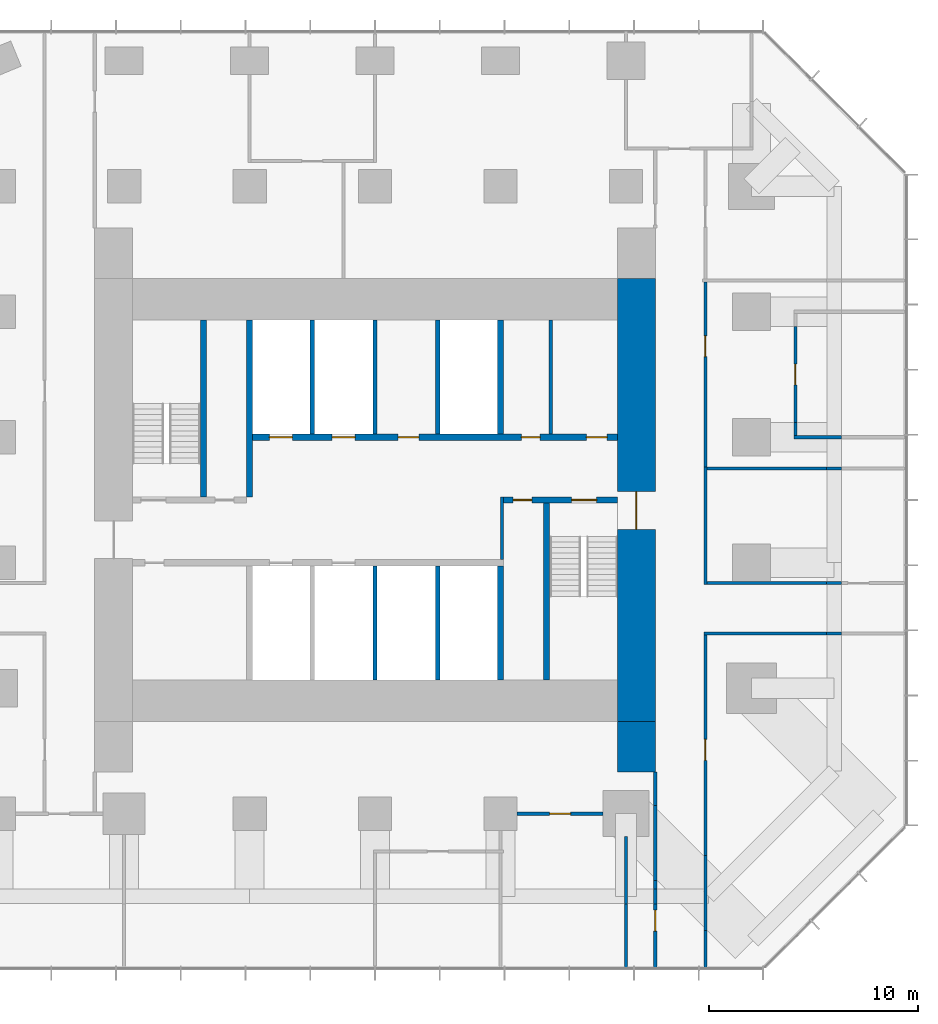
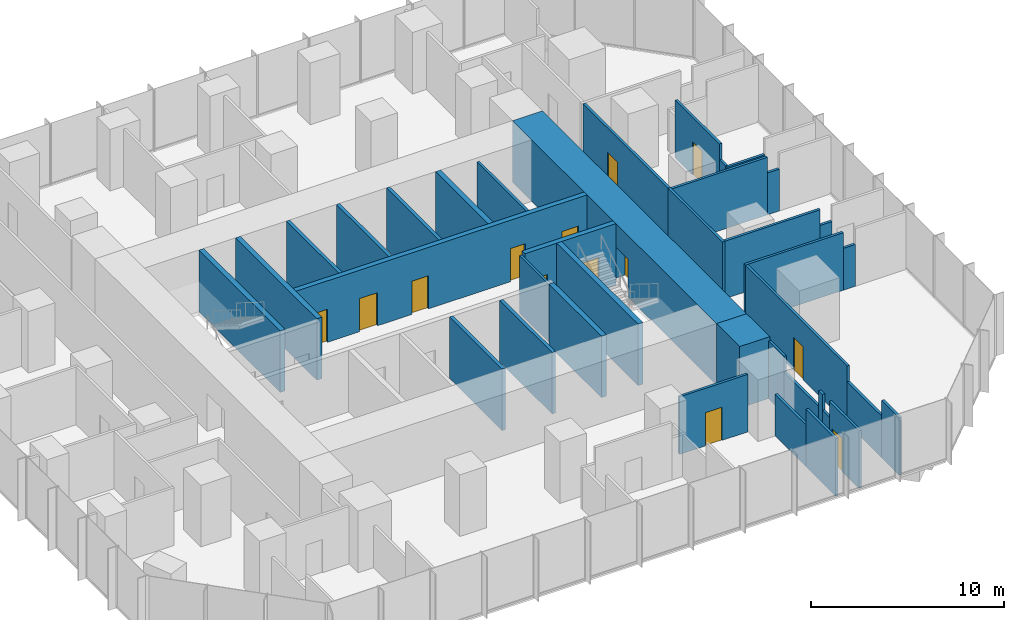
# One storey, part 9 of 11: 38 walls, 13 doors, 13 openings.
"""IFC4 building model written with IfcOpenShell, lengths in metres."""

from ifc_helpers import new_model, si_unit, direction, frame, frame_2d, origin, place, context, subcontext, project, spatial, rectangle, extrude, material, layer, layer_set, type_object, element, fill, save


model = new_model("IFC4")

# Units and contexts
model_context = context("Model", 3, precision=1e-05, world=origin(), true_north=direction((0.0, 1.0)))
body_context = subcontext(model_context, "Body", "Model", "MODEL_VIEW")
ifc_project = project(units=[si_unit("LENGTHUNIT", "METRE"), si_unit("AREAUNIT", "SQUARE_METRE"), si_unit("VOLUMEUNIT", "CUBIC_METRE"), si_unit("PLANEANGLEUNIT", "RADIAN"), si_unit("MASSUNIT", "GRAM", prefix="KILO")], contexts=[model_context])

# Site, building, storey
site_placement = place(None, origin())
site = spatial("IfcSite", under=ifc_project, at=site_placement, CompositionType="ELEMENT")
building_placement = place(site_placement, origin())
building = spatial("IfcBuilding", under=site, at=building_placement, Name="Highveld Stack Headquarters", CompositionType="ELEMENT")
storey_placement = place(building_placement, frame((0.0, 0.0, 144.5)))
storey = spatial("IfcBuildingStorey", under=building, at=storey_placement, Name="L35", CompositionType="ELEMENT", Elevation=144.5)

# Wall, opening, door
ifc_material_1 = material(Name="Concrete C60/75", Category="concrete")
ifc_layer_1 = layer(ifc_material_1, 1.800048828125)
ifc_layer_set_1 = layer_set([ifc_layer_1], Name="Concrete C60/75")
wall_type_1 = type_object("IfcWallType", Name="CORE WALL 1800 C60/75", PredefinedType="SHEAR", material=ifc_layer_set_1)
wall_1_placement = place(storey_placement, frame((18.5, -7.60009765625, 0.0), z_axis=(0.0, 0.0, 1.0), x_axis=(0.0, 1.0, 0.0)))
wall_1 = element("IfcWall", 1, at=wall_1_placement, inside=storey, type_object=wall_type_1, Name="Core wall E L35", PredefinedType="SHEAR", context=body_context, shape_type="SweptSolid", body=[
    extrude(rectangle(XDim=21.2001953125, YDim=1.800048828125, at=frame_2d((10.60009765625, 0.0))), origin(), (0.0, 0.0, 1.0), 3.89990234375),
])
opening_1_placement = place(wall_1_placement, frame((9.199951171875, 0.0, 0.0)))
opening_1 = element("IfcOpeningElement", 2, at=opening_1_placement, cuts=wall_1, Name="Opening L35-02", PredefinedType="OPENING", context=body_context, shape_type="SweptSolid", body=[
    extrude(rectangle(XDim=1.800048828125, YDim=2.39990234375, at=frame_2d((0.89990234375, 1.199951171875))), frame((0.0, 0.909912109375, 0.0), z_axis=(0.0, -1.0, 0.0), x_axis=(1.0, 0.0, 0.0)), (0.0, 0.0, 1.0), 1.820068359375),
])
ifc_material_2 = material(Name="Steel fire door", Category="steel")
door_type_1 = type_object("IfcDoorType", Name="LOBBY FIRE DOOR D4 1800x2400", OperationType="DOUBLE_DOOR_SINGLE_SWING", PredefinedType="DOOR", material=ifc_material_2)
door_1_placement = place(opening_1_placement, origin())
door_1 = element("IfcDoor", 3, at=door_1_placement, inside=storey, type_object=door_type_1, Name="Core east door L35", OperationType="DOUBLE_DOOR_SINGLE_SWING", OverallHeight=2.39990234375, OverallWidth=1.800048828125, PredefinedType="DOOR", context=body_context, shape_type="SweptSolid", body=[
    extrude(rectangle(XDim=1.800048828125, YDim=2.39990234375, at=frame_2d((0.89990234375, 1.199951171875))), frame((0.0, 0.02490234375, 0.0), z_axis=(0.0, -1.0, 0.0), x_axis=(1.0, 0.0, 0.0)), (0.0, 0.0, 1.0), 0.050048828125),
])
fill(opening_1, door_1)

# Wall, openings, doors
ifc_material_3 = material(Name="Concrete C60/75", Category="concrete")
ifc_layer_2 = layer(ifc_material_3, 0.300048828125)
ifc_layer_set_2 = layer_set([ifc_layer_2], Name="Concrete C60/75")
wall_type_2 = type_object("IfcWallType", Name="CORE WALL 300 C60/75", PredefinedType="SHEAR", material=ifc_layer_set_2)
wall_2_placement = place(storey_placement, frame((12.14990234375, 3.0, 0.0), z_axis=(0.0, 0.0, 1.0), x_axis=(1.0, 0.0, 0.0)))
wall_2 = element("IfcWall", 4, at=wall_2_placement, inside=storey, type_object=wall_type_2, Name="Core wall I-Y3E L35", PredefinedType="SHEAR", context=body_context, shape_type="SweptSolid", body=[
    extrude(rectangle(XDim=5.4501953125, YDim=0.300048828125, at=frame_2d((2.72509765625, 0.0))), origin(), (0.0, 0.0, 1.0), 3.89990234375),
])
opening_2_placement = place(wall_2_placement, frame((3.25, 0.0, 0.0)))
opening_2 = element("IfcOpeningElement", 5, at=opening_2_placement, cuts=wall_2, Name="Opening L35-05", PredefinedType="OPENING", context=body_context, shape_type="SweptSolid", body=[
    extrude(rectangle(XDim=1.199951171875, YDim=2.10009765625, at=frame_2d((0.60009765625, 1.050048828125))), frame((0.0, 0.159912109375, 0.0), z_axis=(0.0, -1.0, 0.0), x_axis=(1.0, 0.0, 0.0)), (0.0, 0.0, 1.0), 0.320068359375),
])
opening_3_placement = place(wall_2_placement, frame((0.449951171875, 0.0, 0.0)))
opening_3 = element("IfcOpeningElement", 6, at=opening_3_placement, cuts=wall_2, Name="Opening L35-06", PredefinedType="OPENING", context=body_context, shape_type="SweptSolid", body=[
    extrude(rectangle(XDim=0.89990234375, YDim=2.10009765625, at=frame_2d((0.449951171875, 1.050048828125))), frame((0.0, 0.159912109375, 0.0), z_axis=(0.0, -1.0, 0.0), x_axis=(1.0, 0.0, 0.0)), (0.0, 0.0, 1.0), 0.320068359375),
])
ifc_material_4 = material(Name="Steel fire door", Category="steel")
door_type_2 = type_object("IfcDoorType", Name="RISER ACCESS DOOR D5 900x2100", OperationType="SINGLE_SWING_LEFT", PredefinedType="DOOR", material=ifc_material_4)
door_2_placement = place(opening_3_placement, origin())
door_2 = element("IfcDoor", 7, at=door_2_placement, inside=storey, type_object=door_type_2, Name="Riser R2 door L35", OperationType="SINGLE_SWING_LEFT", OverallHeight=2.10009765625, OverallWidth=0.89990234375, PredefinedType="DOOR", context=body_context, shape_type="SweptSolid", body=[
    extrude(rectangle(XDim=0.89990234375, YDim=2.10009765625, at=frame_2d((0.449951171875, 1.050048828125))), frame((0.0, 0.02490234375, 0.0), z_axis=(0.0, -1.0, 0.0), x_axis=(1.0, 0.0, 0.0)), (0.0, 0.0, 1.0), 0.050048828125),
])
fill(opening_3, door_2)
ifc_material_5 = material(Name="Steel fire door", Category="steel")
door_type_3 = type_object("IfcDoorType", Name="STAIR FIRE DOOR D3 1200x2100", OperationType="SINGLE_SWING_LEFT", PredefinedType="DOOR", material=ifc_material_5)
door_3_placement = place(opening_2_placement, origin())
door_3 = element("IfcDoor", 8, at=door_3_placement, inside=storey, type_object=door_type_3, Name="Stair S2 door L35", OperationType="SINGLE_SWING_RIGHT", OverallHeight=2.10009765625, OverallWidth=1.199951171875, PredefinedType="DOOR", context=body_context, shape_type="SweptSolid", body=[
    extrude(rectangle(XDim=1.199951171875, YDim=2.10009765625, at=frame_2d((0.60009765625, 1.050048828125))), frame((0.0, 0.02490234375, 0.0), z_axis=(0.0, -1.0, 0.0), x_axis=(1.0, 0.0, 0.0)), (0.0, 0.0, 1.0), 0.050048828125),
])
fill(opening_2, door_3)

wall_3_placement = place(storey_placement, frame((-0.14990234375, 6.0, 0.0), z_axis=(0.0, 0.0, 1.0), x_axis=(1.0, 0.0, 0.0)))
wall_3 = element("IfcWall", 9, at=wall_3_placement, inside=storey, type_object=wall_type_2, Name="Core wall I-Y6 L35", PredefinedType="SHEAR", context=body_context, shape_type="SweptSolid", body=[
    extrude(rectangle(XDim=17.75, YDim=0.300048828125, at=frame_2d((8.875, 0.0))), origin(), (0.0, 0.0, 1.0), 3.89990234375),
])
opening_4_placement = place(wall_3_placement, frame((13.14990234375, 0.0, 0.0)))
opening_4 = element("IfcOpeningElement", 10, at=opening_4_placement, cuts=wall_3, Name="Opening L35-08", PredefinedType="OPENING", context=body_context, shape_type="SweptSolid", body=[
    extrude(rectangle(XDim=0.89990234375, YDim=2.10009765625, at=frame_2d((0.449951171875, 1.050048828125))), frame((0.0, 0.159912109375, 0.0), z_axis=(0.0, -1.0, 0.0), x_axis=(1.0, 0.0, 0.0)), (0.0, 0.0, 1.0), 0.320068359375),
])
opening_5_placement = place(wall_3_placement, frame((16.25, 0.0, 0.0)))
opening_5 = element("IfcOpeningElement", 11, at=opening_5_placement, cuts=wall_3, Name="Opening L35-09", PredefinedType="OPENING", context=body_context, shape_type="SweptSolid", body=[
    extrude(rectangle(XDim=1.0, YDim=2.10009765625, at=frame_2d((0.5, 1.050048828125))), frame((0.0, 0.159912109375, 0.0), z_axis=(0.0, -1.0, 0.0), x_axis=(1.0, 0.0, 0.0)), (0.0, 0.0, 1.0), 0.320068359375),
])
opening_6_placement = place(wall_3_placement, frame((7.25, 0.0, 0.0)))
opening_6 = element("IfcOpeningElement", 12, at=opening_6_placement, cuts=wall_3, Name="Opening L35-10", PredefinedType="OPENING", context=body_context, shape_type="SweptSolid", body=[
    extrude(rectangle(XDim=1.0, YDim=2.10009765625, at=frame_2d((0.5, 1.050048828125))), frame((0.0, 0.159912109375, 0.0), z_axis=(0.0, -1.0, 0.0), x_axis=(1.0, 0.0, 0.0)), (0.0, 0.0, 1.0), 0.320068359375),
])
opening_7_placement = place(wall_3_placement, frame((1.10009765625, 0.0, 0.0)))
opening_7 = element("IfcOpeningElement", 13, at=opening_7_placement, cuts=wall_3, Name="Opening LD", PredefinedType="OPENING", context=body_context, shape_type="SweptSolid", body=[
    extrude(rectangle(XDim=1.10009765625, YDim=2.10009765625, at=frame_2d((0.550048828125, 1.050048828125))), frame((0.0, 0.159912109375, 0.0), z_axis=(0.0, -1.0, 0.0), x_axis=(1.0, 0.0, 0.0)), (0.0, 0.0, 1.0), 0.320068359375),
])
opening_8_placement = place(wall_3_placement, frame((4.10009765625, 0.0, 0.0)))
opening_8 = element("IfcOpeningElement", 14, at=opening_8_placement, cuts=wall_3, Name="Opening LD", PredefinedType="OPENING", context=body_context, shape_type="SweptSolid", body=[
    extrude(rectangle(XDim=1.10009765625, YDim=2.10009765625, at=frame_2d((0.550048828125, 1.050048828125))), frame((0.0, 0.159912109375, 0.0), z_axis=(0.0, -1.0, 0.0), x_axis=(1.0, 0.0, 0.0)), (0.0, 0.0, 1.0), 0.320068359375),
])
ifc_material_6 = material(Name="Timber door, painted", Category="wood")
door_type_4 = type_object("IfcDoorType", Name="ACCESSIBLE WC DOOR D2 1000x2100", OperationType="SINGLE_SWING_RIGHT", PredefinedType="DOOR", material=ifc_material_6)
door_4_placement = place(opening_5_placement, origin())
door_4 = element("IfcDoor", 15, at=door_4_placement, inside=storey, type_object=door_type_4, Name="Accessible WC door L35", OperationType="SINGLE_SWING_RIGHT", OverallHeight=2.10009765625, OverallWidth=1.0, PredefinedType="DOOR", context=body_context, shape_type="SweptSolid", body=[
    extrude(rectangle(XDim=1.0, YDim=2.10009765625, at=frame_2d((0.5, 1.050048828125))), frame((0.0, 0.02490234375, 0.0), z_axis=(0.0, -1.0, 0.0), x_axis=(1.0, 0.0, 0.0)), (0.0, 0.0, 1.0), 0.050048828125),
])
fill(opening_5, door_4)
ifc_material_7 = material(Name="Steel fire door", Category="steel")
door_type_5 = type_object("IfcDoorType", Name="CORE ROOM FIRE DOOR D14 1000x2100", OperationType="SINGLE_SWING_LEFT", PredefinedType="DOOR", material=ifc_material_7)
door_5_placement = place(opening_6_placement, origin())
door_5 = element("IfcDoor", 16, at=door_5_placement, inside=storey, type_object=door_type_5, Name="Capped A 1 door L35", OperationType="SINGLE_SWING_LEFT", OverallHeight=2.10009765625, OverallWidth=1.0, PredefinedType="DOOR", context=body_context, shape_type="SweptSolid", body=[
    extrude(rectangle(XDim=1.0, YDim=2.10009765625, at=frame_2d((0.5, 1.050048828125))), frame((0.0, 0.02490234375, 0.0), z_axis=(0.0, -1.0, 0.0), x_axis=(1.0, 0.0, 0.0)), (0.0, 0.0, 1.0), 0.050048828125),
])
fill(opening_6, door_5)
ifc_material_8 = material(Name="Stainless steel lift landing door", Category="steel")
door_type_6 = type_object("IfcDoorType", Name="LIFT LANDING DOOR LD 1100x2100", OperationType="DOUBLE_DOOR_SLIDING", PredefinedType="USERDEFINED", material=ifc_material_8)
door_6_placement = place(opening_7_placement, origin())
door_6 = element("IfcDoor", 17, at=door_6_placement, inside=storey, type_object=door_type_6, Name="Lift landing door FF1 L35", ObjectType="LIFT LANDING DOOR", OperationType="DOUBLE_DOOR_SLIDING", OverallHeight=2.10009765625, OverallWidth=1.10009765625, PredefinedType="USERDEFINED", context=body_context, shape_type="SweptSolid", body=[
    extrude(rectangle(XDim=1.10009765625, YDim=2.10009765625, at=frame_2d((0.550048828125, 1.050048828125))), frame((0.0, 0.02490234375, 0.0), z_axis=(0.0, -1.0, 0.0), x_axis=(1.0, 0.0, 0.0)), (0.0, 0.0, 1.0), 0.050048828125),
])
fill(opening_7, door_6)
door_7_placement = place(opening_8_placement, origin())
door_7 = element("IfcDoor", 18, at=door_7_placement, inside=storey, type_object=door_type_6, Name="Lift landing door FF2 L35", ObjectType="LIFT LANDING DOOR", OperationType="DOUBLE_DOOR_SLIDING", OverallHeight=2.10009765625, OverallWidth=1.10009765625, PredefinedType="USERDEFINED", context=body_context, shape_type="SweptSolid", body=[
    extrude(rectangle(XDim=1.10009765625, YDim=2.10009765625, at=frame_2d((0.550048828125, 1.050048828125))), frame((0.0, 0.02490234375, 0.0), z_axis=(0.0, -1.0, 0.0), x_axis=(1.0, 0.0, 0.0)), (0.0, 0.0, 1.0), 0.050048828125),
])
fill(opening_8, door_7)
ifc_material_9 = material(Name="Timber door, painted", Category="wood")
door_type_7 = type_object("IfcDoorType", Name="WC DOOR D1 900x2100", OperationType="SINGLE_SWING_LEFT", PredefinedType="DOOR", material=ifc_material_9)
door_8_placement = place(opening_4_placement, origin())
door_8 = element("IfcDoor", 19, at=door_8_placement, inside=storey, type_object=door_type_7, Name="Male WC door L35", OperationType="SINGLE_SWING_RIGHT", OverallHeight=2.10009765625, OverallWidth=0.89990234375, PredefinedType="DOOR", context=body_context, shape_type="SweptSolid", body=[
    extrude(rectangle(XDim=0.89990234375, YDim=2.10009765625, at=frame_2d((0.449951171875, 1.050048828125))), frame((0.0, 0.02490234375, 0.0), z_axis=(0.0, -1.0, 0.0), x_axis=(1.0, 0.0, 0.0)), (0.0, 0.0, 1.0), 0.050048828125),
])
fill(opening_4, door_8)

# Walls
wall_4_placement = place(storey_placement, frame((0.0, 3.14990234375, 0.0), z_axis=(0.0, 0.0, 1.0), x_axis=(0.0, 1.0, 0.0)))
element("IfcWall", 20, at=wall_4_placement, inside=storey, type_object=wall_type_2, Name="Core wall I-X0N L35", PredefinedType="SHEAR", context=body_context, shape_type="SweptSolid", body=[
    extrude(rectangle(XDim=8.4501953125, YDim=0.300048828125, at=frame_2d((4.22509765625, 0.0))), origin(), (0.0, 0.0, 1.0), 3.89990234375),
])
for number, where, z_axis, x_axis, name in (
    (21, (12.0, -5.60009765625, 0.0), (0.0, 0.0, 1.0), (0.0, 1.0, 0.0), "Core wall I-X12S L35"),
    (22, (12.0, 6.14990234375, 0.0), (0.0, 0.0, 1.0), (0.0, 1.0, 0.0), "Core wall I-X12N L35"),
):
    element("IfcWall", number, at=place(storey_placement, frame(where, z_axis=z_axis, x_axis=x_axis)), inside=storey, type_object=wall_type_2, Name=name, PredefinedType="SHEAR", context=body_context, shape_type="SweptSolid", body=[
        extrude(rectangle(XDim=5.4501953125, YDim=0.300048828125, at=frame_2d((2.72509765625, 0.0))), origin(), (0.0, 0.0, 1.0), 3.89990234375),
    ])
for number, where, z_axis, x_axis, name in (
    (23, (-2.199951171875, 3.14990234375, 0.0), (0.0, 0.0, 1.0), (0.0, 1.0, 0.0), "Core wall I-RW L35"),
    (24, (14.199951171875, -5.60009765625, 0.0), (0.0, 0.0, 1.0), (0.0, 1.0, 0.0), "Core wall I-RE L35"),
):
    element("IfcWall", number, at=place(storey_placement, frame(where, z_axis=z_axis, x_axis=x_axis)), inside=storey, type_object=wall_type_2, Name=name, PredefinedType="SHEAR", context=body_context, shape_type="SweptSolid", body=[
        extrude(rectangle(XDim=8.4501953125, YDim=0.300048828125, at=frame_2d((4.22509765625, 0.0))), origin(), (0.0, 0.0, 1.0), 3.89990234375),
    ])
ifc_material_10 = material(Name="Concrete C60/75", Category="concrete")
ifc_layer_3 = layer(ifc_material_10, 1.800048828125)
ifc_layer_set_3 = layer_set([ifc_layer_3], Name="Concrete C60/75")
wall_type_3 = type_object("IfcWallType", Name="CORE WING WALL 1800 C60/75", PredefinedType="SHEAR", material=ifc_layer_set_3)
wall_5_placement = place(storey_placement, frame((18.5, -10.0, 0.0), z_axis=(0.0, 0.0, 1.0), x_axis=(0.0, 1.0, 0.0)))
element("IfcWall", 25, at=wall_5_placement, inside=storey, type_object=wall_type_3, Name="Core wing wall ES L35", PredefinedType="SHEAR", context=body_context, shape_type="SweptSolid", body=[
    extrude(rectangle(XDim=2.39990234375, YDim=1.800048828125, at=frame_2d((1.199951171875, 0.0))), origin(), (0.0, 0.0, 1.0), 3.89990234375),
])
ifc_material_11 = material(Name="Concrete blockwork, plastered", Category="masonry")
ifc_layer_4 = layer(ifc_material_11, 0.14990234375)
ifc_layer_set_4 = layer_set([ifc_layer_4], Name="Concrete blockwork, plastered")
wall_type_4 = type_object("IfcWallType", Name="FIRE PARTITION 150 BLOCKWORK", PredefinedType="PARTITIONING", material=ifc_layer_set_4)
wall_6_placement = place(storey_placement, frame((12.074951171875, 0.14990234375, 0.0), z_axis=(0.0, 0.0, 1.0), x_axis=(0.0, 1.0, 0.0)))
element("IfcWall", 26, at=wall_6_placement, inside=storey, type_object=wall_type_4, Name="Riser R2 enclosure L35", PredefinedType="PARTITIONING", context=body_context, shape_type="SweptSolid", body=[
    extrude(rectangle(XDim=3.0, YDim=0.14990234375, at=frame_2d((1.5, 0.0))), origin(), (0.0, 0.0, 1.0), 3.64990234375),
])

# Wall, opening, door
ifc_material_12 = material(Name="Laminated glass in aluminium frame", Category="aluminium")
ifc_layer_5 = layer(ifc_material_12, 0.14990234375)
ifc_layer_set_5 = layer_set([ifc_layer_5], Name="Laminated glass in aluminium frame")
wall_type_5 = type_object("IfcWallType", Name="GLAZED PARTITION 150", PredefinedType="PARTITIONING", material=ifc_layer_set_5)
wall_7_placement = place(storey_placement, frame((12.800048828125, -12.0, 0.0), z_axis=(0.0, 0.0, 1.0), x_axis=(1.0, 0.0, 0.0)))
wall_7 = element("IfcWall", 27, at=wall_7_placement, inside=storey, type_object=wall_type_5, Name="Glazed partition Meeting room L35", PredefinedType="PARTITIONING", context=body_context, shape_type="SweptSolid", body=[
    extrude(rectangle(XDim=4.099853515625, YDim=0.14990234375, at=frame_2d((2.0498046875, 0.0))), origin(), (0.0, 0.0, 1.0), 3.64990234375),
])
opening_9_placement = place(wall_7_placement, frame((1.550048828125, 0.0, 0.0)))
opening_9 = element("IfcOpeningElement", 28, at=opening_9_placement, cuts=wall_7, Name="Opening L35-13", PredefinedType="OPENING", context=body_context, shape_type="SweptSolid", body=[
    extrude(rectangle(XDim=1.0, YDim=2.10009765625, at=frame_2d((0.5, 1.050048828125))), frame((0.0, 0.0849609375, 0.0), z_axis=(0.0, -1.0, 0.0), x_axis=(1.0, 0.0, 0.0)), (0.0, 0.0, 1.0), 0.169921875),
])
ifc_material_13 = material(Name="Timber door, oiled ash", Category="wood")
door_type_8 = type_object("IfcDoorType", Name="ROOM DOOR D6 1000x2100", OperationType="SINGLE_SWING_LEFT", PredefinedType="DOOR", material=ifc_material_13)
door_9_placement = place(opening_9_placement, origin())
door_9 = element("IfcDoor", 29, at=door_9_placement, inside=storey, type_object=door_type_8, Name="Meeting room door 1 L35", OperationType="SINGLE_SWING_RIGHT", OverallHeight=2.10009765625, OverallWidth=1.0, PredefinedType="DOOR", context=body_context, shape_type="SweptSolid", body=[
    extrude(rectangle(XDim=1.0, YDim=2.10009765625, at=frame_2d((0.5, 1.050048828125))), frame((0.0, 0.02490234375, 0.0), z_axis=(0.0, -1.0, 0.0), x_axis=(1.0, 0.0, 0.0)), (0.0, 0.0, 1.0), 0.050048828125),
])
fill(opening_9, door_9)

# Walls
ifc_material_14 = material(Name="Concrete blockwork, fair-faced", Category="masonry")
ifc_layer_6 = layer(ifc_material_14, 0.199951171875)
ifc_layer_set_6 = layer_set([ifc_layer_6], Name="Concrete blockwork, fair-faced")
wall_type_6 = type_object("IfcWallType", Name="LIFT SHAFT ENCLOSURE WALL 200 BLOCKWORK", PredefinedType="SOLIDWALL", material=ifc_layer_set_6)
for number, where, z_axis, x_axis, name in (
    (30, (3.0, 6.14990234375, 0.0), (0.0, 0.0, 1.0), (0.0, 1.0, 0.0), "Lift shaft wall L35"),
    (31, (6.0, 6.14990234375, 0.0), (0.0, 0.0, 1.0), (0.0, 1.0, 0.0), "Lift shaft wall L35"),
    (32, (9.0, 6.14990234375, 0.0), (0.0, 0.0, 1.0), (0.0, 1.0, 0.0), "Lift shaft wall L35"),
    (33, (6.0, -5.60009765625, 0.0), (0.0, 0.0, 1.0), (0.0, 1.0, 0.0), "Lift shaft wall L35"),
    (34, (9.0, -5.60009765625, 0.0), (0.0, 0.0, 1.0), (0.0, 1.0, 0.0), "Lift shaft wall L35"),
):
    element("IfcWall", number, at=place(storey_placement, frame(where, z_axis=z_axis, x_axis=x_axis)), inside=storey, type_object=wall_type_6, Name=name, PredefinedType="SOLIDWALL", context=body_context, shape_type="SweptSolid", body=[
        extrude(rectangle(XDim=5.4501953125, YDim=0.199951171875, at=frame_2d((2.72509765625, 0.0))), origin(), (0.0, 0.0, 1.0), 3.89990234375),
    ])
ifc_material_15 = material(Name="Gypsum plasterboard on steel studs", Category="steel")
ifc_layer_7 = layer(ifc_material_15, 0.14990234375)
ifc_layer_set_7 = layer_set([ifc_layer_7], Name="Gypsum plasterboard on steel studs")
wall_type_7 = type_object("IfcWallType", Name="PARTITION 150 PLASTERBOARD", PredefinedType="PARTITIONING", material=ifc_layer_set_7)
wall_8_placement = place(storey_placement, frame((26.02490234375, 6.0, 0.0), z_axis=(0.0, 0.0, 1.0), x_axis=(1.0, 0.0, 0.0)))
element("IfcWall", 35, at=wall_8_placement, inside=storey, type_object=wall_type_7, Name="Partition Focus room L35", PredefinedType="PARTITIONING", context=body_context, shape_type="SweptSolid", body=[
    extrude(rectangle(XDim=2.28515625, YDim=0.14990234375, at=frame_2d((1.142578125, 0.0))), origin(), (0.0, 0.0, 1.0), 2.64990234375),
])
wall_9_placement = place(storey_placement, frame((18.0, -19.39990234375, 0.0), z_axis=(0.0, 0.0, 1.0), x_axis=(0.0, 1.0, 0.0)))
element("IfcWall", 36, at=wall_9_placement, inside=storey, type_object=wall_type_7, Name="Partition Meeting room L35", PredefinedType="PARTITIONING", context=body_context, shape_type="SweptSolid", body=[
    extrude(rectangle(XDim=3.08984375, YDim=0.14990234375, at=frame_2d((1.544921875, 0.0))), origin(), (0.0, 0.0, 1.0), 3.64990234375),
])
wall_10_placement = place(storey_placement, frame((18.0, -16.31005859375, 0.0), z_axis=(0.0, 0.0, 1.0), x_axis=(0.0, 1.0, 0.0)))
element("IfcWall", 37, at=wall_10_placement, inside=storey, type_object=wall_type_7, Name="Partition Meeting room L35", PredefinedType="PARTITIONING", context=body_context, shape_type="SweptSolid", body=[
    extrude(rectangle(XDim=3.2099609375, YDim=0.14990234375, at=frame_2d((1.60498046875, 0.0))), origin(), (0.0, 0.0, 1.0), 2.64990234375),
])
wall_11_placement = place(storey_placement, frame((26.10009765625, 6.074951171875, 0.0), z_axis=(0.0, 0.0, 1.0), x_axis=(0.0, 1.0, 0.0)))
element("IfcWall", 38, at=wall_11_placement, inside=storey, type_object=wall_type_7, Name="Partition Focus room L35", PredefinedType="PARTITIONING", context=body_context, shape_type="SweptSolid", body=[
    extrude(rectangle(XDim=0.635009765625, YDim=0.14990234375, at=frame_2d((0.3173828125, 0.0))), origin(), (0.0, 0.0, 1.0), 2.64990234375),
])

# Wall, opening, door
wall_12_placement = place(storey_placement, frame((26.10009765625, 6.7099609375, 0.0), z_axis=(0.0, 0.0, 1.0), x_axis=(0.0, 1.0, 0.0)))
wall_12 = element("IfcWall", 39, at=wall_12_placement, inside=storey, type_object=wall_type_7, Name="Partition Focus room L35", PredefinedType="PARTITIONING", context=body_context, shape_type="SweptSolid", body=[
    extrude(rectangle(XDim=4.580078125, YDim=0.14990234375, at=frame_2d((2.2900390625, 0.0))), origin(), (0.0, 0.0, 1.0), 3.64990234375),
])
opening_10_placement = place(wall_12_placement, frame((1.7900390625, 0.0, 0.0)))
opening_10 = element("IfcOpeningElement", 40, at=opening_10_placement, cuts=wall_12, Name="Opening L35-17", PredefinedType="OPENING", context=body_context, shape_type="SweptSolid", body=[
    extrude(rectangle(XDim=1.0, YDim=2.10009765625, at=frame_2d((0.5, 1.050048828125))), frame((0.0, 0.0849609375, 0.0), z_axis=(0.0, -1.0, 0.0), x_axis=(1.0, 0.0, 0.0)), (0.0, 0.0, 1.0), 0.169921875),
])
door_10_placement = place(opening_10_placement, origin())
door_10 = element("IfcDoor", 41, at=door_10_placement, inside=storey, type_object=door_type_8, Name="Focus room door 1 L35", OperationType="SINGLE_SWING_LEFT", OverallHeight=2.10009765625, OverallWidth=1.0, PredefinedType="DOOR", context=body_context, shape_type="SweptSolid", body=[
    extrude(rectangle(XDim=1.0, YDim=2.10009765625, at=frame_2d((0.5, 1.050048828125))), frame((0.0, 0.02490234375, 0.0), z_axis=(0.0, -1.0, 0.0), x_axis=(1.0, 0.0, 0.0)), (0.0, 0.0, 1.0), 0.050048828125),
])
fill(opening_10, door_10)

wall_13_placement = place(storey_placement, frame((19.39990234375, -19.39990234375, 0.0), z_axis=(0.0, 0.0, 1.0), x_axis=(0.0, 1.0, 0.0)))
wall_13 = element("IfcWall", 42, at=wall_13_placement, inside=storey, type_object=wall_type_7, Name="Partition office neighbourhood L35", PredefinedType="PARTITIONING", context=body_context, shape_type="SweptSolid", body=[
    extrude(rectangle(XDim=3.08984375, YDim=0.14990234375, at=frame_2d((1.544921875, 0.0))), origin(), (0.0, 0.0, 1.0), 3.64990234375),
])
opening_11_placement = place(wall_13_placement, frame((1.7900390625, 0.0, 0.0)))
opening_11 = element("IfcOpeningElement", 43, at=opening_11_placement, cuts=wall_13, Name="Opening L35-20", PredefinedType="OPENING", context=body_context, shape_type="SweptSolid", body=[
    extrude(rectangle(XDim=1.0, YDim=2.10009765625, at=frame_2d((0.5, 1.050048828125))), frame((0.0, 0.0849609375, 0.0), z_axis=(0.0, -1.0, 0.0), x_axis=(1.0, 0.0, 0.0)), (0.0, 0.0, 1.0), 0.169921875),
])
door_11_placement = place(opening_11_placement, origin())
door_11 = element("IfcDoor", 44, at=door_11_placement, inside=storey, type_object=door_type_8, Name="Office neighbourhood door L35", OperationType="SINGLE_SWING_RIGHT", OverallHeight=2.10009765625, OverallWidth=1.0, PredefinedType="DOOR", context=body_context, shape_type="SweptSolid", body=[
    extrude(rectangle(XDim=1.0, YDim=2.10009765625, at=frame_2d((0.5, 1.050048828125))), frame((0.0, 0.02490234375, 0.0), z_axis=(0.0, -1.0, 0.0), x_axis=(1.0, 0.0, 0.0)), (0.0, 0.0, 1.0), 0.050048828125),
])
fill(opening_11, door_11)

# Walls
wall_14_placement = place(storey_placement, frame((19.39990234375, -16.31005859375, 0.0), z_axis=(0.0, 0.0, 1.0), x_axis=(0.0, 1.0, 0.0)))
element("IfcWall", 45, at=wall_14_placement, inside=storey, type_object=wall_type_7, Name="Partition office neighbourhood L35", PredefinedType="PARTITIONING", context=body_context, shape_type="SweptSolid", body=[
    extrude(rectangle(XDim=0.719970703125, YDim=0.14990234375, at=frame_2d((0.35986328125, 0.0))), origin(), (0.0, 0.0, 1.0), 2.64990234375),
])
wall_15_placement = place(storey_placement, frame((19.39990234375, -15.590087890625, 0.0), z_axis=(0.0, 0.0, 1.0), x_axis=(0.0, 1.0, 0.0)))
element("IfcWall", 46, at=wall_15_placement, inside=storey, type_object=wall_type_7, Name="Partition office neighbourhood L35", PredefinedType="PARTITIONING", context=body_context, shape_type="SweptSolid", body=[
    extrude(rectangle(XDim=0.39794921875, YDim=0.14990234375, at=frame_2d((0.198974609375, 0.0))), origin(), (0.0, 0.0, 1.0), 3.64990234375),
])
wall_16_placement = place(storey_placement, frame((19.39990234375, -15.192138671875, 0.0), z_axis=(0.0, 0.0, 1.0), x_axis=(0.0, 1.0, 0.0)))
element("IfcWall", 47, at=wall_16_placement, inside=storey, type_object=wall_type_7, Name="Partition office neighbourhood L35", PredefinedType="PARTITIONING", context=body_context, shape_type="SweptSolid", body=[
    extrude(rectangle(XDim=3.584228515625, YDim=0.14990234375, at=frame_2d((1.7919921875, 0.0))), origin(), (0.0, 0.0, 1.0), 2.64990234375),
])
wall_17_placement = place(storey_placement, frame((19.39990234375, -11.60791015625, 0.0), z_axis=(0.0, 0.0, 1.0), x_axis=(0.0, 1.0, 0.0)))
element("IfcWall", 48, at=wall_17_placement, inside=storey, type_object=wall_type_7, Name="Partition office neighbourhood L35", PredefinedType="PARTITIONING", context=body_context, shape_type="SweptSolid", body=[
    extrude(rectangle(XDim=1.60791015625, YDim=0.14990234375, at=frame_2d((0.803955078125, 0.0))), origin(), (0.0, 0.0, 1.0), 3.64990234375),
])
wall_18_placement = place(storey_placement, frame((21.800048828125, -19.39990234375, 0.0), z_axis=(0.0, 0.0, 1.0), x_axis=(0.0, 1.0, 0.0)))
element("IfcWall", 49, at=wall_18_placement, inside=storey, type_object=wall_type_7, Name="Partition office neighbourhood L35", PredefinedType="PARTITIONING", context=body_context, shape_type="SweptSolid", body=[
    extrude(rectangle(XDim=1.807861328125, YDim=0.14990234375, at=frame_2d((0.90380859375, 0.0))), origin(), (0.0, 0.0, 1.0), 3.64990234375),
])
wall_19_placement = place(storey_placement, frame((21.800048828125, -17.592041015625, 0.0), z_axis=(0.0, 0.0, 1.0), x_axis=(0.0, 1.0, 0.0)))
element("IfcWall", 50, at=wall_19_placement, inside=storey, type_object=wall_type_7, Name="Partition office neighbourhood L35", PredefinedType="PARTITIONING", context=body_context, shape_type="SweptSolid", body=[
    extrude(rectangle(XDim=3.584228515625, YDim=0.14990234375, at=frame_2d((1.7919921875, 0.0))), origin(), (0.0, 0.0, 1.0), 2.64990234375),
])

# Wall, opening, door
wall_20_placement = place(storey_placement, frame((21.800048828125, -14.0078125, 0.0), z_axis=(0.0, 0.0, 1.0), x_axis=(0.0, 1.0, 0.0)))
wall_20 = element("IfcWall", 51, at=wall_20_placement, inside=storey, type_object=wall_type_7, Name="Partition office neighbourhood L35", PredefinedType="PARTITIONING", context=body_context, shape_type="SweptSolid", body=[
    extrude(rectangle(XDim=10.557861328125, YDim=0.14990234375, at=frame_2d((5.27880859375, 0.0))), origin(), (0.0, 0.0, 1.0), 3.64990234375),
])
opening_12_placement = place(wall_20_placement, frame((4.558837890625, 0.0, 0.0)))
opening_12 = element("IfcOpeningElement", 52, at=opening_12_placement, cuts=wall_20, Name="Opening L35-21", PredefinedType="OPENING", context=body_context, shape_type="SweptSolid", body=[
    extrude(rectangle(XDim=1.0, YDim=2.10009765625, at=frame_2d((0.5, 1.050048828125))), frame((0.0, 0.0849609375, 0.0), z_axis=(0.0, -1.0, 0.0), x_axis=(1.0, 0.0, 0.0)), (0.0, 0.0, 1.0), 0.169921875),
])
door_12_placement = place(opening_12_placement, origin())
door_12 = element("IfcDoor", 53, at=door_12_placement, inside=storey, type_object=door_type_8, Name="Office neighbourhood door L35", OperationType="SINGLE_SWING_LEFT", OverallHeight=2.10009765625, OverallWidth=1.0, PredefinedType="DOOR", context=body_context, shape_type="SweptSolid", body=[
    extrude(rectangle(XDim=1.0, YDim=2.10009765625, at=frame_2d((0.5, 1.050048828125))), frame((0.0, 0.02490234375, 0.0), z_axis=(0.0, -1.0, 0.0), x_axis=(1.0, 0.0, 0.0)), (0.0, 0.0, 1.0), 0.050048828125),
])
fill(opening_12, door_12)

# Walls
wall_21_placement = place(storey_placement, frame((21.72509765625, -3.375, 0.0), z_axis=(0.0, 0.0, 1.0), x_axis=(1.0, 0.0, 0.0)))
element("IfcWall", 54, at=wall_21_placement, inside=storey, type_object=wall_type_7, Name="Partition office neighbourhood L35", PredefinedType="PARTITIONING", context=body_context, shape_type="SweptSolid", body=[
    extrude(rectangle(XDim=5.864990234375, YDim=0.14990234375, at=frame_2d((2.9326171875, 0.0))), origin(), (0.0, 0.0, 1.0), 3.64990234375),
])
wall_22_placement = place(storey_placement, frame((27.590087890625, -3.375, 0.0), z_axis=(0.0, 0.0, 1.0), x_axis=(1.0, 0.0, 0.0)))
element("IfcWall", 55, at=wall_22_placement, inside=storey, type_object=wall_type_7, Name="Partition office neighbourhood L35", PredefinedType="PARTITIONING", context=body_context, shape_type="SweptSolid", body=[
    extrude(rectangle(XDim=0.719970703125, YDim=0.14990234375, at=frame_2d((0.35986328125, 0.0))), origin(), (0.0, 0.0, 1.0), 2.64990234375),
])
wall_23_placement = place(storey_placement, frame((21.800048828125, -1.050048828125, 0.0), z_axis=(0.0, 0.0, 1.0), x_axis=(0.0, 1.0, 0.0)))
element("IfcWall", 56, at=wall_23_placement, inside=storey, type_object=wall_type_7, Name="Partition office neighbourhood L35", PredefinedType="PARTITIONING", context=body_context, shape_type="SweptSolid", body=[
    extrude(rectangle(XDim=5.625, YDim=0.14990234375, at=frame_2d((2.8125, 0.0))), origin(), (0.0, 0.0, 1.0), 3.64990234375),
])
wall_24_placement = place(storey_placement, frame((21.875, -0.97509765625, 0.0), z_axis=(0.0, 0.0, 1.0), x_axis=(1.0, 0.0, 0.0)))
element("IfcWall", 57, at=wall_24_placement, inside=storey, type_object=wall_type_7, Name="Partition office neighbourhood L35", PredefinedType="PARTITIONING", context=body_context, shape_type="SweptSolid", body=[
    extrude(rectangle(XDim=5.715087890625, YDim=0.14990234375, at=frame_2d((2.857421875, 0.0))), origin(), (0.0, 0.0, 1.0), 3.64990234375),
])
wall_25_placement = place(storey_placement, frame((27.590087890625, -0.97509765625, 0.0), z_axis=(0.0, 0.0, 1.0), x_axis=(1.0, 0.0, 0.0)))
element("IfcWall", 58, at=wall_25_placement, inside=storey, type_object=wall_type_7, Name="Partition office neighbourhood L35", PredefinedType="PARTITIONING", context=body_context, shape_type="SweptSolid", body=[
    extrude(rectangle(XDim=0.719970703125, YDim=0.14990234375, at=frame_2d((0.35986328125, 0.0))), origin(), (0.0, 0.0, 1.0), 2.64990234375),
])

# Wall, opening, door
wall_26_placement = place(storey_placement, frame((21.800048828125, 4.5, 0.0), z_axis=(0.0, 0.0, 1.0), x_axis=(0.0, 1.0, 0.0)))
wall_26 = element("IfcWall", 59, at=wall_26_placement, inside=storey, type_object=wall_type_7, Name="Partition office neighbourhood L35", PredefinedType="PARTITIONING", context=body_context, shape_type="SweptSolid", body=[
    extrude(rectangle(XDim=8.925048828125, YDim=0.14990234375, at=frame_2d((4.46240234375, 0.0))), origin(), (0.0, 0.0, 1.0), 3.64990234375),
])
opening_13_placement = place(wall_26_placement, frame((5.35009765625, 0.0, 0.0)))
opening_13 = element("IfcOpeningElement", 60, at=opening_13_placement, cuts=wall_26, Name="Opening L35-24", PredefinedType="OPENING", context=body_context, shape_type="SweptSolid", body=[
    extrude(rectangle(XDim=1.0, YDim=2.10009765625, at=frame_2d((0.5, 1.050048828125))), frame((0.0, 0.0849609375, 0.0), z_axis=(0.0, -1.0, 0.0), x_axis=(1.0, 0.0, 0.0)), (0.0, 0.0, 1.0), 0.169921875),
])
door_13_placement = place(opening_13_placement, origin())
door_13 = element("IfcDoor", 61, at=door_13_placement, inside=storey, type_object=door_type_8, Name="Office neighbourhood door L35", OperationType="SINGLE_SWING_RIGHT", OverallHeight=2.10009765625, OverallWidth=1.0, PredefinedType="DOOR", context=body_context, shape_type="SweptSolid", body=[
    extrude(rectangle(XDim=1.0, YDim=2.10009765625, at=frame_2d((0.5, 1.050048828125))), frame((0.0, 0.02490234375, 0.0), z_axis=(0.0, -1.0, 0.0), x_axis=(1.0, 0.0, 0.0)), (0.0, 0.0, 1.0), 0.050048828125),
])
fill(opening_13, door_13)

# Walls
wall_27_placement = place(storey_placement, frame((21.875, 4.5, 0.0), z_axis=(0.0, 0.0, 1.0), x_axis=(1.0, 0.0, 0.0)))
element("IfcWall", 62, at=wall_27_placement, inside=storey, type_object=wall_type_7, Name="Partition office neighbourhood L35", PredefinedType="PARTITIONING", context=body_context, shape_type="SweptSolid", body=[
    extrude(rectangle(XDim=5.715087890625, YDim=0.14990234375, at=frame_2d((2.857421875, 0.0))), origin(), (0.0, 0.0, 1.0), 3.64990234375),
])
wall_28_placement = place(storey_placement, frame((27.590087890625, 4.5, 0.0), z_axis=(0.0, 0.0, 1.0), x_axis=(1.0, 0.0, 0.0)))
element("IfcWall", 63, at=wall_28_placement, inside=storey, type_object=wall_type_7, Name="Partition office neighbourhood L35", PredefinedType="PARTITIONING", context=body_context, shape_type="SweptSolid", body=[
    extrude(rectangle(XDim=0.719970703125, YDim=0.14990234375, at=frame_2d((0.35986328125, 0.0))), origin(), (0.0, 0.0, 1.0), 2.64990234375),
])
ifc_material_16 = material(Name="Concrete blockwork, tiled", Category="masonry")
ifc_layer_8 = layer(ifc_material_16, 0.14990234375)
ifc_layer_set_8 = layer_set([ifc_layer_8], Name="Concrete blockwork, tiled")
wall_type_8 = type_object("IfcWallType", Name="WC PARTITION 150", PredefinedType="PLUMBINGWALL", material=ifc_layer_set_8)
wall_29_placement = place(storey_placement, frame((14.39990234375, 6.14990234375, 0.0), z_axis=(0.0, 0.0, 1.0), x_axis=(0.0, 1.0, 0.0)))
element("IfcWall", 64, at=wall_29_placement, inside=storey, type_object=wall_type_8, Name="Toilet partition L35", PredefinedType="PLUMBINGWALL", context=body_context, shape_type="SweptSolid", body=[
    extrude(rectangle(XDim=5.4501953125, YDim=0.14990234375, at=frame_2d((2.72509765625, 0.0))), origin(), (0.0, 0.0, 1.0), 3.64990234375),
])

save(model, "model.ifc")
